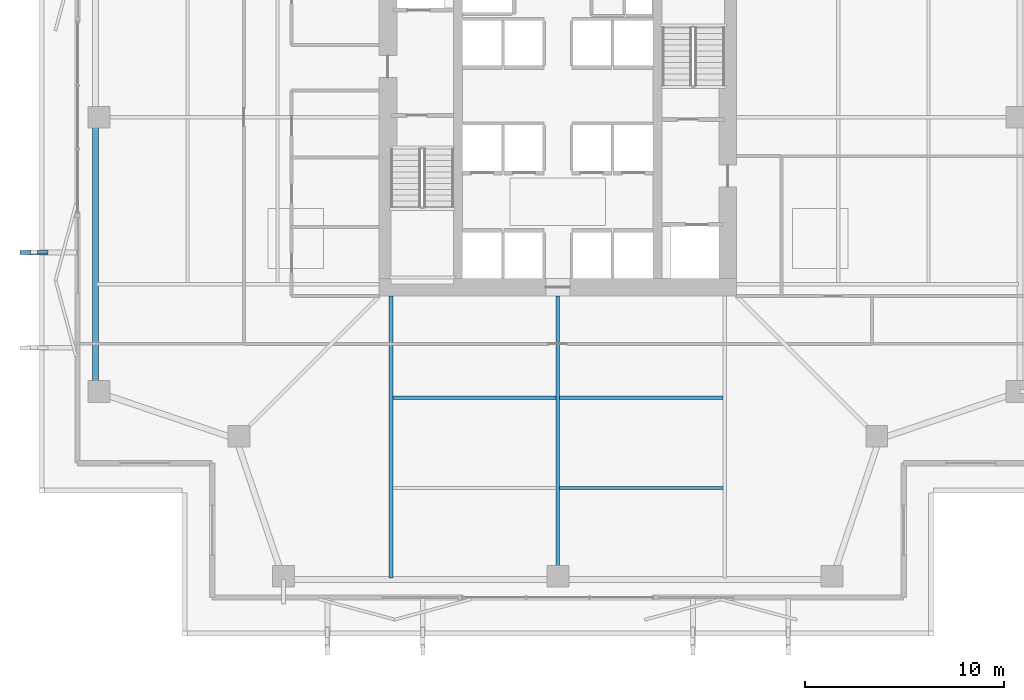
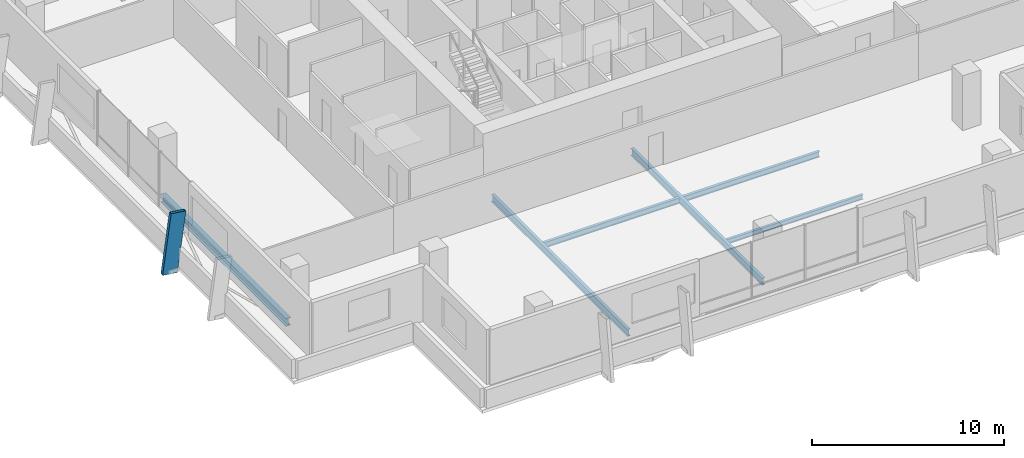
# One storey, part 3 of 16: 6 beams, 1 member.
"""IFC4 building model written with IfcOpenShell, lengths in metres."""

from ifc_helpers import new_model, si_unit, direction, frame, origin, origin_2d, place, context, subcontext, project, spatial, hollow_rectangle, i_section, extrude, material, material_profile, profile_set, type_object, element, save


model = new_model("IFC4")

# Units and contexts
model_context = context("Model", 3, precision=1e-05, world=origin(), true_north=direction((0.0, 1.0)))
body_context = subcontext(model_context, "Body", "Model", "MODEL_VIEW")
ifc_project = project(units=[si_unit("LENGTHUNIT", "METRE"), si_unit("AREAUNIT", "SQUARE_METRE"), si_unit("VOLUMEUNIT", "CUBIC_METRE"), si_unit("PLANEANGLEUNIT", "RADIAN"), si_unit("MASSUNIT", "GRAM", prefix="KILO")], contexts=[model_context])

# Site, building, storey
site_placement = place(None, origin())
site = spatial("IfcSite", under=ifc_project, at=site_placement, CompositionType="ELEMENT")
building_placement = place(site_placement, origin())
building = spatial("IfcBuilding", under=site, at=building_placement, Name="Belovzor Exchange Tower", CompositionType="ELEMENT")
storey_placement = place(building_placement, frame((0.0, 0.0, 138.300048828125)))
storey = spatial("IfcBuildingStorey", under=building, at=storey_placement, Name="L33", CompositionType="ELEMENT", Elevation=138.300048828125)

# Beams
ifc_material_1 = material(Name="Steel S355", Category="steel")
ifc_material_profile_1 = material_profile(ifc_material_1, i_section(OverallWidth=0.169921875, OverallDepth=0.360107421875, WebThickness=0.008056640625, FlangeThickness=0.0126953125, at=origin_2d()))
ifc_profile_set_1 = profile_set([ifc_material_profile_1], Name="Steel S355")
beam_type_1 = type_object("IfcBeamType", Name="Secondary Infill Floor Joist IPE 360", PredefinedType="BEAM", material=ifc_profile_set_1)
for number, where, z_axis, x_axis, name in (
    (1, (20.4951171875, 14.69091796875, -0.43505859375), (1.0, 0.0, 0.0), (0.0, 1.0, 0.0), "FJ-360 Secondary Infill Floor Joist IPE 360"),
    (2, (28.89501953125, 14.69091796875, -0.43505859375), (1.0, 0.0, 0.0), (0.0, 1.0, 0.0), "FJ-360 Secondary Infill Floor Joist IPE 360"),
):
    element("IfcBeam", number, at=place(storey_placement, frame(where, z_axis=z_axis, x_axis=x_axis)), inside=storey, type_object=beam_type_1, Name=name, PredefinedType="BEAM", context=body_context, shape_type="SweptSolid", body=[
        extrude(i_section(OverallWidth=0.169921875, OverallDepth=0.360107421875, WebThickness=0.008056640625, FlangeThickness=0.0126953125, at=origin_2d()), origin(), (0.0, 0.0, 1.0), 8.2099609375),
    ])
ifc_material_2 = material(Name="Steel S355", Category="steel")
ifc_material_profile_2 = material_profile(ifc_material_2, i_section(OverallWidth=0.14990234375, OverallDepth=0.300048828125, WebThickness=0.007080078125, FlangeThickness=0.0107421875, at=origin_2d()))
ifc_profile_set_2 = profile_set([ifc_material_profile_2], Name="Steel S355")
beam_type_2 = type_object("IfcBeamType", Name="Secondary Trim Floor Joist IPE 300", PredefinedType="BEAM", material=ifc_profile_set_2)
beam_1_placement = place(storey_placement, frame((28.89501953125, 10.14892578125, -0.405029296875), z_axis=(1.0, 0.0, 0.0), x_axis=(0.0, 1.0, 0.0)))
element("IfcBeam", 3, at=beam_1_placement, inside=storey, type_object=beam_type_2, Name="FJ-300 Secondary Trim Floor Joist IPE 300", PredefinedType="BEAM", context=body_context, shape_type="SweptSolid", body=[
    extrude(i_section(OverallWidth=0.14990234375, OverallDepth=0.300048828125, WebThickness=0.007080078125, FlangeThickness=0.0107421875, at=origin_2d()), origin(), (0.0, 0.0, 1.0), 8.2099609375),
])

# Member
ifc_material_3 = material(Name="Extruded Architectural Terracotta on Steel S355 Carrier", Category="masonry")
ifc_material_profile_3 = material_profile(ifc_material_3, hollow_rectangle(XDim=0.199951171875, YDim=0.89990234375, WallThickness=0.011962890625, at=origin_2d()))
ifc_profile_set_3 = profile_set([ifc_material_profile_3], Name="Extruded Architectural Terracotta on Steel S355 Carrier")
member_type = type_object("IfcMemberType", Name="Sweeping Terracotta Baguette Fin Assembly 1250", PredefinedType="USERDEFINED", material=ifc_profile_set_3)
member_placement = place(storey_placement, frame((2.175048828125, 22.0, -0.255126953125), z_axis=(0.136851262382, 0.0, 0.990591607063), x_axis=(0.0, 1.0, 0.0)))
element("IfcMember", 4, at=member_placement, inside=storey, type_object=member_type, Name="FIN-TC125 Terracotta Facade Fin L33 W2", ObjectType="FIN", PredefinedType="USERDEFINED", context=body_context, shape_type="SweptSolid", body=[
    extrude(hollow_rectangle(XDim=0.199951171875, YDim=0.89990234375, WallThickness=0.011962890625, at=origin_2d()), origin(), (0.0, 0.0, 1.0), 3.78564453125),
])

# Beams
ifc_material_4 = material(Name="Steel S355", Category="steel")
ifc_material_profile_4 = material_profile(ifc_material_4, i_section(OverallWidth=0.18994140625, OverallDepth=0.449951171875, WebThickness=0.009521484375, FlangeThickness=0.0146484375, at=origin_2d()))
ifc_profile_set_4 = profile_set([ifc_material_profile_4], Name="Steel S355")
beam_type_3 = type_object("IfcBeamType", Name="Zone 2-4 Radial Composite Floor Beam IPE 450", PredefinedType="BEAM", material=ifc_profile_set_4)
beam_2_placement = place(storey_placement, frame((20.39990234375, 19.800048828125, -0.47998046875), z_axis=(0.0, -1.0, 0.0), x_axis=(1.0, 0.0, 0.0)))
element("IfcBeam", 5, at=beam_2_placement, inside=storey, type_object=beam_type_3, Name="FB-450 Zone 2-4 Radial Composite Floor Beam IPE 450", PredefinedType="BEAM", context=body_context, shape_type="SweptSolid", body=[
    extrude(i_section(OverallWidth=0.18994140625, OverallDepth=0.449951171875, WebThickness=0.009521484375, FlangeThickness=0.0146484375, at=origin_2d()), origin(), (0.0, 0.0, 1.0), 14.193115234375),
])
beam_3_placement = place(storey_placement, frame((28.800048828125, 19.800048828125, -0.47998046875), z_axis=(0.0, -1.0, 0.0), x_axis=(1.0, 0.0, 0.0)))
element("IfcBeam", 6, at=beam_3_placement, inside=storey, type_object=beam_type_3, Name="FB-450 Zone 2-4 Radial Composite Floor Beam IPE 450", PredefinedType="BEAM", context=body_context, shape_type="SweptSolid", body=[
    extrude(i_section(OverallWidth=0.18994140625, OverallDepth=0.449951171875, WebThickness=0.009521484375, FlangeThickness=0.0146484375, at=origin_2d()), origin(), (0.0, 0.0, 1.0), 13.68798828125),
])
ifc_material_5 = material(Name="Steel S355", Category="steel")
ifc_material_profile_5 = material_profile(ifc_material_5, i_section(OverallWidth=0.300048828125, OverallDepth=0.5, WebThickness=0.014404296875, FlangeThickness=0.028076171875, at=origin_2d()))
ifc_profile_set_5 = profile_set([ifc_material_profile_5], Name="Steel S355")
beam_type_4 = type_object("IfcBeamType", Name="Zone 3 Waist Primary Girder HEB 500", PredefinedType="BEAM", material=ifc_profile_set_5)
beam_4_placement = place(storey_placement, frame((5.531982421875, 28.44189453125, -0.505126953125), z_axis=(0.0, -1.0, 0.0), x_axis=(1.0, 0.0, 0.0)))
element("IfcBeam", 7, at=beam_4_placement, inside=storey, type_object=beam_type_4, Name="FG-Z3 Zone 3 Waist Primary Girder HEB 500", PredefinedType="BEAM", context=body_context, shape_type="SweptSolid", body=[
    extrude(i_section(OverallWidth=0.300048828125, OverallDepth=0.5, WebThickness=0.014404296875, FlangeThickness=0.028076171875, at=origin_2d()), origin(), (0.0, 0.0, 1.0), 13.0849609375),
])

save(model, "model.ifc")
